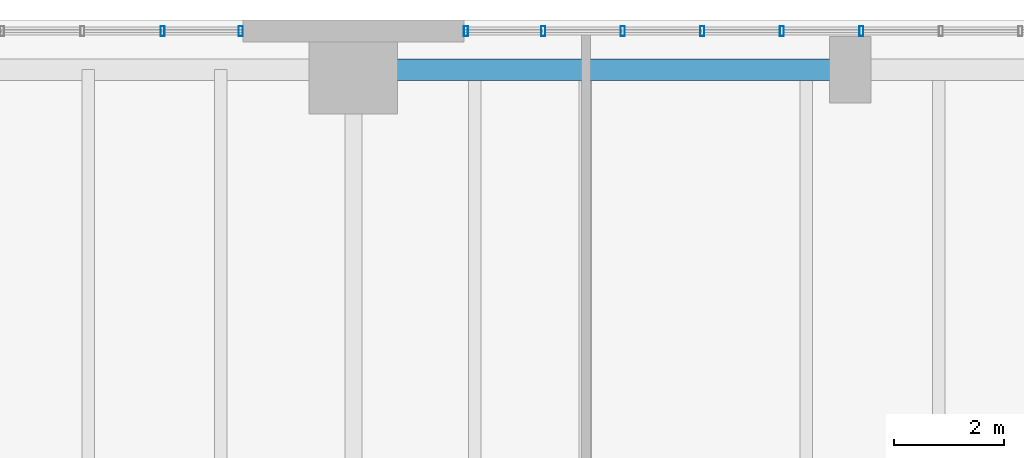
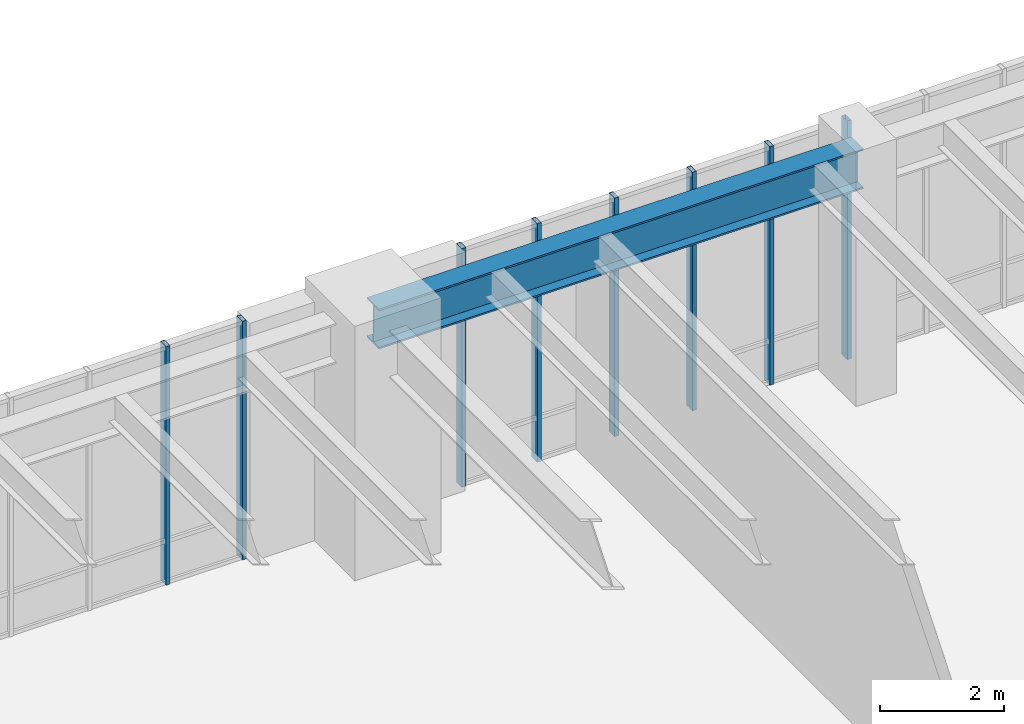
# One storey, part 15 of 26: 8 members, 1 beam, 2 elements without a shape of their own.
"""IFC4 building model written with IfcOpenShell, lengths in metres."""

import ifcopenshell
import ifcopenshell.guid

model = None  # the IFC model being written
_history = None  # IfcOwnerHistory: only IFC2X3 demands one
_inside = {}  # id of a spatial element -> (the spatial element, [elements in it])
_under = {}  # id of a project, library or spatial element -> (it, [spatial elements below it])
_declared = {}  # id of a project -> (the project, [libraries it declares])
_typed = {}  # id of a type object -> (the type object, [elements of that type])
_made_of = {}  # id of a material, layer set ... -> (it, [elements and type objects made of it])


def new_model(schema):
    """Start an empty IFC model of exactly this schema.

    Asked for "IFC4X3", IfcOpenShell would pick the latest addendum, in which some entities
    have other attributes; the version numbers below select the first issue.
    IFC2X3 requires an IfcOwnerHistory on every rooted entity: one is made here for all.
    """
    global model, _history
    if schema == "IFC4X3":
        model = ifcopenshell.file(schema_version=(4, 3, 0, 0))
    else:
        model = ifcopenshell.file(schema=schema)
    _inside.clear()
    _under.clear()
    _declared.clear()
    _typed.clear()
    _made_of.clear()
    _history = None
    if model.schema == "IFC2X3":
        org = make("IfcOrganization", Name="unknown")
        user = make(
            "IfcPersonAndOrganization",
            ThePerson=make("IfcPerson", FamilyName="unknown"),
            TheOrganization=org,
        )
        app = make(
            "IfcApplication",
            ApplicationDeveloper=org,
            Version="unknown",
            ApplicationFullName="unknown",
            ApplicationIdentifier="unknown",
        )
        _history = make(
            "IfcOwnerHistory",
            OwningUser=user,
            OwningApplication=app,
            ChangeAction="ADDED",
            CreationDate=0,
        )
    return model


def make(cls, **values):
    """One entity of the class cls with the attributes given. An attribute that is None is left unset."""
    return model.create_entity(
        cls, **{name: value for name, value in values.items() if value is not None}
    )


def rooted(cls, **values):
    """An entity with a GlobalId (a new one), such as an element, a storey or a relation."""
    return make(cls, GlobalId=ifcopenshell.guid.new(), OwnerHistory=_history, **values)


def si_unit(unit_type, name, prefix=None):
    """IfcSIUnit, for example si_unit("LENGTHUNIT", "METRE", prefix="MILLI")."""
    return make("IfcSIUnit", UnitType=unit_type, Prefix=prefix, Name=name)


def assignment(units):
    """IfcUnitAssignment: the units of a project."""
    return None if units is None else make("IfcUnitAssignment", Units=units)


def point(xyz):
    """IfcCartesianPoint."""
    return None if xyz is None else make("IfcCartesianPoint", Coordinates=xyz)


def direction(xyz):
    """IfcDirection."""
    return None if xyz is None else make("IfcDirection", DirectionRatios=xyz)


def frame(location, z_axis=None, x_axis=None):
    """IfcAxis2Placement3D, a coordinate frame: its origin and axes. An axis left out is left unset."""
    return make(
        "IfcAxis2Placement3D",
        Location=point(location),
        Axis=direction(z_axis),
        RefDirection=direction(x_axis),
    )


def frame_2d(location, x_axis=None):
    """IfcAxis2Placement2D, a coordinate frame in the plane: its origin and x axis."""
    return make(
        "IfcAxis2Placement2D", Location=point(location), RefDirection=direction(x_axis)
    )


def origin():
    """The frame at (0, 0, 0) with its axes left unset."""
    return frame((0.0, 0.0, 0.0))


def origin_2d():
    """The frame at (0, 0) in the plane with its x axis left unset."""
    return frame_2d((0.0, 0.0))


def place(relative_to, where):
    """IfcLocalPlacement: puts the frame where relative to a parent placement (None: the world)."""
    return make(
        "IfcLocalPlacement", PlacementRelTo=relative_to, RelativePlacement=where
    )


def context(
    kind, dimensions, precision=None, world=None, true_north=None, identifier=None
):
    """IfcGeometricRepresentationContext, for example the 3D "Model" context."""
    return make(
        "IfcGeometricRepresentationContext",
        ContextIdentifier=identifier,
        ContextType=kind,
        CoordinateSpaceDimension=dimensions,
        Precision=precision,
        WorldCoordinateSystem=world,
        TrueNorth=true_north,
    )


def subcontext(parent, identifier, kind, view, scale=None):
    """IfcGeometricRepresentationSubContext, for example "Body" below "Model"."""
    return make(
        "IfcGeometricRepresentationSubContext",
        ContextIdentifier=identifier,
        ContextType=kind,
        ParentContext=parent,
        TargetScale=scale,
        TargetView=view,
    )


def project(units=None, contexts=None):
    """IfcProject with its units and contexts."""
    return rooted(
        "IfcProject",
        Name="project",
        RepresentationContexts=contexts,
        UnitsInContext=assignment(units),
    )


def spatial(cls, under=None, at=None, **own):
    """A site, building, storey or space (cls), placed at a placement, below another one or the project."""
    s = rooted(cls, ObjectPlacement=at, **own)
    if under is not None:
        _under.setdefault(under.id(), (under, []))[1].append(s)
    return s


def profile(cls, at=None, kind="AREA", **sizes):
    """A parametric profile (cls). Its sizes go by their IFC names, for example OverallWidth=200.0."""
    return make(cls, ProfileType=kind, Position=at, **sizes)


def hollow_rectangle(**sizes):
    """IfcRectangleHollowProfileDef."""
    return profile("IfcRectangleHollowProfileDef", **sizes)


def i_section(**sizes):
    """IfcIShapeProfileDef."""
    return profile("IfcIShapeProfileDef", **sizes)


def extrude(swept, where, along, depth):
    """IfcExtrudedAreaSolid: the profile swept, set in the frame where, extruded along a direction by depth."""
    return make(
        "IfcExtrudedAreaSolid",
        SweptArea=swept,
        Position=where,
        ExtrudedDirection=direction(along),
        Depth=depth,
    )


def shape(context_of_items, identifier, shape_type, items):
    """IfcShapeRepresentation: the items that make up one representation, for example the "Body"."""
    return make(
        "IfcShapeRepresentation",
        ContextOfItems=context_of_items,
        RepresentationIdentifier=identifier,
        RepresentationType=shape_type,
        Items=items,
    )


def material(Name=None, Category=None):
    """IfcMaterial."""
    return make("IfcMaterial", Name=Name, Category=Category)


def layer(
    of_material, thickness, ventilated=None, Name=None, Category=None, Priority=None
):
    """IfcMaterialLayer: one layer of a wall or slab, of a material (None: an air gap)."""
    return make(
        "IfcMaterialLayer",
        Material=of_material,
        LayerThickness=thickness,
        IsVentilated=ventilated,
        Name=Name,
        Category=Category,
        Priority=Priority,
    )


def layer_set(layers, Name=None):
    """IfcMaterialLayerSet."""
    return make("IfcMaterialLayerSet", MaterialLayers=layers, LayerSetName=Name)


def material_profile(
    of_material, cross_section, Name=None, Category=None, Priority=None
):
    """IfcMaterialProfile: a cross section and its material."""
    return make(
        "IfcMaterialProfile",
        Name=Name,
        Material=of_material,
        Profile=cross_section,
        Priority=Priority,
        Category=Category,
    )


def profile_set(profiles, Name=None, composite=None):
    """IfcMaterialProfileSet."""
    return make(
        "IfcMaterialProfileSet",
        Name=Name,
        MaterialProfiles=profiles,
        CompositeProfile=composite,
    )


def made_of(thing, what):
    """Note that an element or type object is made of a material, layer set ...; save() writes the relation."""
    if what is not None:
        _made_of.setdefault(what.id(), (what, []))[1].append(thing)
    return thing


def type_object(cls, material=None, **own):
    """A type object (cls), such as IfcWallType, which elements share."""
    return made_of(rooted(cls, **own), material)


def element(
    cls,
    number,
    at=None,
    inside=None,
    cuts=None,
    type_object=None,
    material=None,
    context=None,
    identifier="Body",
    shape_type=None,
    held_by="IfcProductDefinitionShape",
    body=None,
    shapes=None,
    **own,
):
    """One element of the class cls, such as IfcWall. Its Tag is "e" and its number.

    at: its placement. inside: the storey or other place that contains it. cuts: it is an
    opening in that element (IfcRelVoidsElement). A single representation is given by context,
    identifier, shape_type and body (its items); several are given by shapes. held_by: the class
    of the entity that holds the representations. save() writes the other relations.
    """
    e = rooted(cls, Tag="e%d" % number, ObjectPlacement=at, **own)
    if body is not None:
        shapes = [shape(context, identifier, shape_type, body)]
    if shapes is not None:
        e.Representation = make(held_by, Representations=shapes)
    if inside is not None:
        _inside.setdefault(inside.id(), (inside, []))[1].append(e)
    if cuts is not None:
        rooted(
            "IfcRelVoidsElement", RelatingBuildingElement=cuts, RelatedOpeningElement=e
        )
    if type_object is not None:
        _typed.setdefault(type_object.id(), (type_object, []))[1].append(e)
    return made_of(e, material)


def aggregate(whole, parts):
    """IfcRelAggregates: a whole, such as a stair, and the parts it consists of."""
    return rooted("IfcRelAggregates", RelatingObject=whole, RelatedObjects=parts)


def save(model, path):
    """Write the relations noted so far, then the file.

    IfcRelAggregates (storeys below a building ...), IfcRelContainedInSpatialStructure (elements
    in a storey), IfcRelDefinesByType, IfcRelAssociatesMaterial and IfcRelDeclares: one each for
    every whole, place, type object, material and project.
    """
    for whole, parts in _under.values():
        aggregate(whole, parts)
    for where, things in _inside.values():
        rooted(
            "IfcRelContainedInSpatialStructure",
            RelatedElements=things,
            RelatingStructure=where,
        )
    for kind, things in _typed.values():
        rooted("IfcRelDefinesByType", RelatedObjects=things, RelatingType=kind)
    for what, things in _made_of.values():
        rooted("IfcRelAssociatesMaterial", RelatedObjects=things, RelatingMaterial=what)
    for by, libraries in _declared.values():
        rooted("IfcRelDeclares", RelatingContext=by, RelatedDefinitions=libraries)
    model.write(path)


model = new_model("IFC4")

# Units and contexts
model_context = context("Model", 3, precision=1e-05, world=origin(), true_north=direction((0.0, 1.0)))
body_context = subcontext(model_context, "Body", "Model", "MODEL_VIEW")
ifc_project = project(units=[si_unit("LENGTHUNIT", "METRE"), si_unit("AREAUNIT", "SQUARE_METRE"), si_unit("VOLUMEUNIT", "CUBIC_METRE"), si_unit("PLANEANGLEUNIT", "RADIAN"), si_unit("MASSUNIT", "GRAM", prefix="KILO"), si_unit("THERMODYNAMICTEMPERATUREUNIT", "KELVIN"), si_unit("POWERUNIT", "WATT")], contexts=[model_context])

# Site, building, storey
site_placement = place(None, origin())
site = spatial("IfcSite", under=ifc_project, at=site_placement, CompositionType="ELEMENT")
building_placement = place(site_placement, origin())
building = spatial("IfcBuilding", under=site, at=building_placement, Name="Skarre Station Tower", CompositionType="ELEMENT")
storey_placement = place(building_placement, frame((0.0, 0.0, 6.0)))
storey = spatial("IfcBuildingStorey", under=building, at=storey_placement, Name="L02", CompositionType="ELEMENT", Elevation=6.0)

# Curtain wall, members
ifc_material_1 = material(Name="Thermally Broken Bronze-Anodized Aluminium & Triple Low-E Glass", Category="aluminium")
ifc_layer = layer(ifc_material_1, 0.199951171875, Name="Thermally Broken Bronze-Anodized Aluminium & Triple Low-E Glass")
ifc_layer_set = layer_set([ifc_layer], Name="Thermally Broken Bronze-Anodized Aluminium & Triple Low-E Glass")
curtain_wall_type = type_object("IfcCurtainWallType", Name="Podium Transit Arcade Stick Curtain Wall", PredefinedType="NOTDEFINED", material=ifc_layer_set)
curtain_wall_1_placement = place(storey_placement, origin())
curtain_wall_1 = element("IfcCurtainWall", 1, at=curtain_wall_1_placement, inside=storey, type_object=curtain_wall_type, Name="L02 North Arcade West Curtain Wall", PredefinedType="NOTDEFINED")
ifc_material_2 = material(Name="Anodized Aluminium 6063-T6", Category="aluminium")
ifc_material_profile_1 = material_profile(ifc_material_2, hollow_rectangle(XDim=0.074951171875, YDim=0.179931640625, WallThickness=0.00390625, at=origin_2d()), Name="Anodized Aluminium 6063-T6")
ifc_profile_set_1 = profile_set([ifc_material_profile_1], Name="Anodized Aluminium 6063-T6")
member_type = type_object("IfcMemberType", Name="Curtain-Wall Unitised Tower Mullion 180x75", PredefinedType="MULLION", material=ifc_profile_set_1)
member_1_placement = place(storey_placement, frame((32.544921875, 47.800048828125, 0.0), z_axis=(0.0, 0.0, 1.0), x_axis=(1.0, 0.0, 0.0)))
member_1 = element("IfcMember", 2, at=member_1_placement, type_object=member_type, Name="L02 North Arcade West Curtain Wall Mullion 11", PredefinedType="MULLION", context=body_context, shape_type="SweptSolid", body=[
    extrude(hollow_rectangle(XDim=0.074951171875, YDim=0.179931640625, WallThickness=0.00390625, at=origin_2d()), origin(), (0.0, 0.0, 1.0), 4.68994140625),
])
member_2_placement = place(storey_placement, frame((33.9599609375, 47.800048828125, 0.0), z_axis=(0.0, 0.0, 1.0), x_axis=(1.0, 0.0, 0.0)))
member_2 = element("IfcMember", 3, at=member_2_placement, type_object=member_type, Name="L02 North Arcade West Curtain Wall Mullion 12", PredefinedType="MULLION", context=body_context, shape_type="SweptSolid", body=[
    extrude(hollow_rectangle(XDim=0.074951171875, YDim=0.179931640625, WallThickness=0.00390625, at=origin_2d()), origin(), (0.0, 0.0, 1.0), 4.68994140625),
])
aggregate(curtain_wall_1, [member_1, member_2])

curtain_wall_2_placement = place(storey_placement, origin())
curtain_wall_2 = element("IfcCurtainWall", 4, at=curtain_wall_2_placement, inside=storey, type_object=curtain_wall_type, Name="L02 North Drop-Off Portal Curtain Wall", PredefinedType="NOTDEFINED")
member_3_placement = place(storey_placement, frame((38.0400390625, 47.800048828125, 0.0), z_axis=(0.0, 0.0, 1.0), x_axis=(1.0, 0.0, 0.0)))
member_3 = element("IfcMember", 5, at=member_3_placement, type_object=member_type, Name="L02 North Drop-Off Portal Curtain Wall Mullion 1", PredefinedType="MULLION", context=body_context, shape_type="SweptSolid", body=[
    extrude(hollow_rectangle(XDim=0.074951171875, YDim=0.179931640625, WallThickness=0.00390625, at=origin_2d()), origin(), (0.0, 0.0, 1.0), 4.68994140625),
])
member_4_placement = place(storey_placement, frame((39.43994140625, 47.800048828125, 0.0), z_axis=(0.0, 0.0, 1.0), x_axis=(1.0, 0.0, 0.0)))
member_4 = element("IfcMember", 6, at=member_4_placement, type_object=member_type, Name="L02 North Drop-Off Portal Curtain Wall Mullion 2", PredefinedType="MULLION", context=body_context, shape_type="SweptSolid", body=[
    extrude(hollow_rectangle(XDim=0.074951171875, YDim=0.179931640625, WallThickness=0.00390625, at=origin_2d()), origin(), (0.0, 0.0, 1.0), 4.68994140625),
])
member_5_placement = place(storey_placement, frame((40.8798828125, 47.800048828125, 0.0), z_axis=(0.0, 0.0, 1.0), x_axis=(1.0, 0.0, 0.0)))
member_5 = element("IfcMember", 7, at=member_5_placement, type_object=member_type, Name="L02 North Drop-Off Portal Curtain Wall Mullion 3", PredefinedType="MULLION", context=body_context, shape_type="SweptSolid", body=[
    extrude(hollow_rectangle(XDim=0.074951171875, YDim=0.179931640625, WallThickness=0.00390625, at=origin_2d()), origin(), (0.0, 0.0, 1.0), 4.68994140625),
])
member_6_placement = place(storey_placement, frame((42.320068359375, 47.800048828125, 0.0), z_axis=(0.0, 0.0, 1.0), x_axis=(1.0, 0.0, 0.0)))
member_6 = element("IfcMember", 8, at=member_6_placement, type_object=member_type, Name="L02 North Drop-Off Portal Curtain Wall Mullion 4", PredefinedType="MULLION", context=body_context, shape_type="SweptSolid", body=[
    extrude(hollow_rectangle(XDim=0.074951171875, YDim=0.179931640625, WallThickness=0.00390625, at=origin_2d()), origin(), (0.0, 0.0, 1.0), 4.68994140625),
])
member_7_placement = place(storey_placement, frame((43.760009765625, 47.800048828125, 0.0), z_axis=(0.0, 0.0, 1.0), x_axis=(1.0, 0.0, 0.0)))
member_7 = element("IfcMember", 9, at=member_7_placement, type_object=member_type, Name="L02 North Drop-Off Portal Curtain Wall Mullion 5", PredefinedType="MULLION", context=body_context, shape_type="SweptSolid", body=[
    extrude(hollow_rectangle(XDim=0.074951171875, YDim=0.179931640625, WallThickness=0.00390625, at=origin_2d()), origin(), (0.0, 0.0, 1.0), 4.68994140625),
])
member_8_placement = place(storey_placement, frame((45.199951171875, 47.800048828125, 0.0), z_axis=(0.0, 0.0, 1.0), x_axis=(1.0, 0.0, 0.0)))
member_8 = element("IfcMember", 10, at=member_8_placement, type_object=member_type, Name="L02 North Drop-Off Portal Curtain Wall Mullion 6", PredefinedType="MULLION", context=body_context, shape_type="SweptSolid", body=[
    extrude(hollow_rectangle(XDim=0.074951171875, YDim=0.179931640625, WallThickness=0.00390625, at=origin_2d()), origin(), (0.0, 0.0, 1.0), 4.68994140625),
])
aggregate(curtain_wall_2, [member_3, member_4, member_5, member_6, member_7, member_8])

# Beam
ifc_material_3 = material(Name="Steel ASTM A992 Grade 50", Category="steel")
ifc_material_profile_2 = material_profile(ifc_material_3, i_section(OverallWidth=0.384033203125, OverallDepth=0.785888671875, WebThickness=0.02001953125, FlangeThickness=0.032958984375, at=origin_2d()), Name="Steel ASTM A992 Grade 50")
ifc_profile_set_2 = profile_set([ifc_material_profile_2], Name="Steel ASTM A992 Grade 50")
beam_type = type_object("IfcBeamType", Name="Steel Spandrel W30X211", PredefinedType="SPANDREL", material=ifc_profile_set_2)
beam_placement = place(storey_placement, frame((36.0, 47.10009765625, 4.297119140625), z_axis=(1.0, 0.0, 0.0), x_axis=(0.0, 1.0, 0.0)))
element("IfcBeam", 11, at=beam_placement, inside=storey, type_object=beam_type, Name="L02 North Podium Spandrel 5", PredefinedType="SPANDREL", context=body_context, shape_type="SweptSolid", body=[
    extrude(i_section(OverallWidth=0.384033203125, OverallDepth=0.785888671875, WebThickness=0.02001953125, FlangeThickness=0.032958984375, at=origin_2d()), origin(), (0.0, 0.0, 1.0), 9.0),
])

save(model, "model.ifc")
